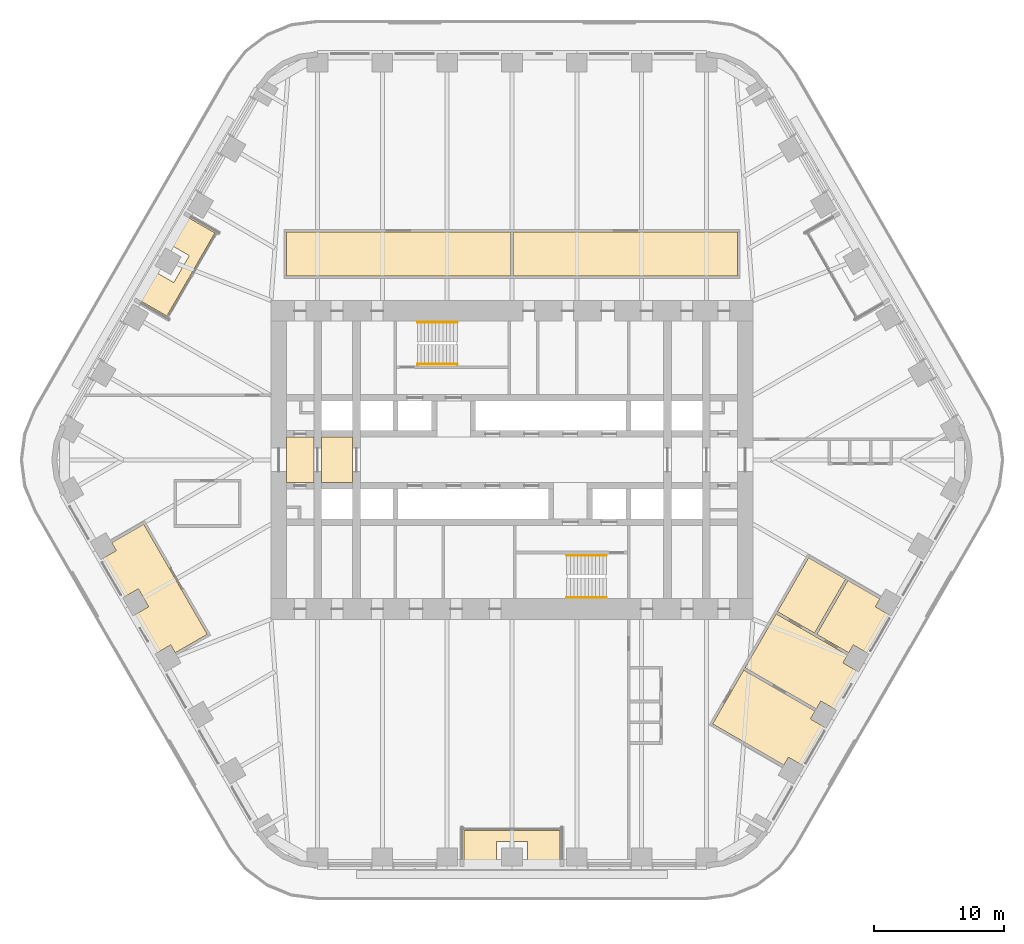
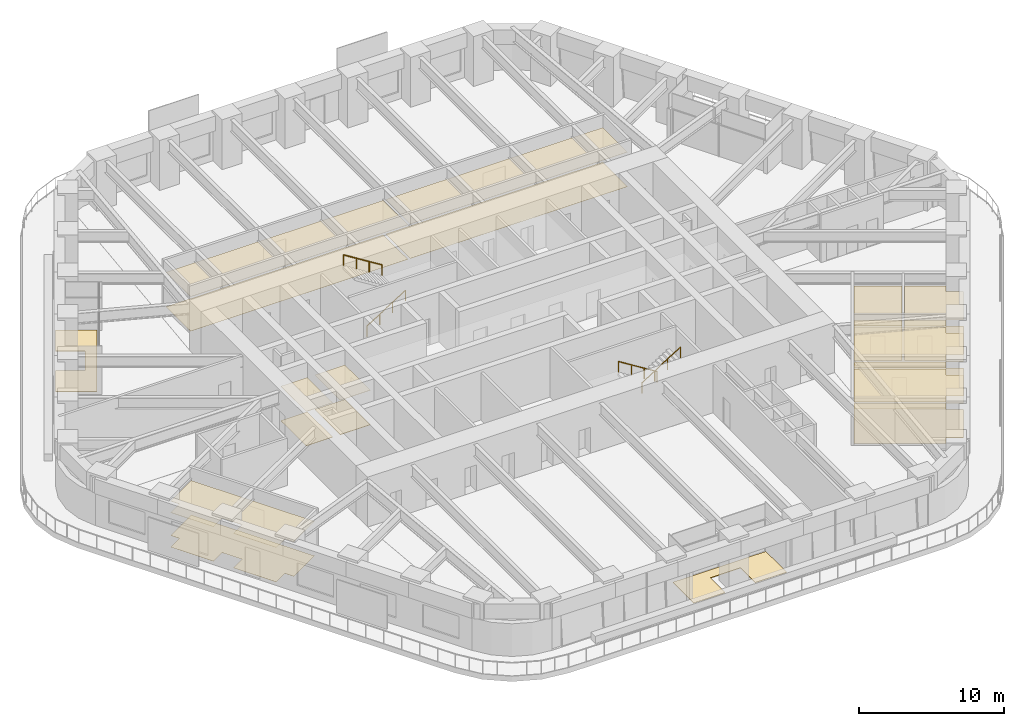
# One storey, part 22 of 24: 8 coverings, 4 railings.
"""IFC4 building model written with IfcOpenShell, lengths in metres."""

from ifc_helpers import new_model, si_unit, direction, frame, origin, origin_2d, place, context, subcontext, project, spatial, polyline, circle, outline, extrude, material, layer, layer_set, type_object, element, save


model = new_model("IFC4")

# Units and contexts
model_context = context("Model", 3, precision=1e-05, world=origin(), true_north=direction((0.0, 1.0)))
body_context = subcontext(model_context, "Body", "Model", "MODEL_VIEW")
ifc_project = project(units=[si_unit("LENGTHUNIT", "METRE"), si_unit("AREAUNIT", "SQUARE_METRE"), si_unit("VOLUMEUNIT", "CUBIC_METRE"), si_unit("PLANEANGLEUNIT", "RADIAN"), si_unit("MASSUNIT", "GRAM", prefix="KILO")], contexts=[model_context])

# Site, building, storey
site_placement = place(None, origin())
site = spatial("IfcSite", under=ifc_project, at=site_placement, CompositionType="ELEMENT")
building_placement = place(site_placement, origin())
building = spatial("IfcBuilding", under=site, at=building_placement, Name="Tarfa Lantern Tower", CompositionType="ELEMENT")
storey_placement = place(building_placement, frame((0.0, 0.0, 161.5)))
storey = spatial("IfcBuildingStorey", under=building, at=storey_placement, Name="L36", CompositionType="ELEMENT", Elevation=161.5)

# Coverings
ifc_material_1 = material(Name="Mineral fibre acoustic tile on suspension grid", Category="finish")
ifc_layer_1 = layer(ifc_material_1, 0.02001953125)
ifc_layer_set_1 = layer_set([ifc_layer_1], Name="CL1 ACOUSTIC TILE CEILING 20")
covering_type_1 = type_object("IfcCoveringType", Name="CL1 ACOUSTIC TILE CEILING 20", PredefinedType="CEILING", material=ifc_layer_set_1)
covering_1_placement = place(storey_placement, frame((0.0, 0.0, 2.89990234375)))
element("IfcCovering", 1, at=covering_1_placement, inside=storey, type_object=covering_type_1, Name="Ceiling L36 CL1", PredefinedType="CEILING", context=body_context, shape_type="SweptSolid", body=[
    extrude(outline(polyline([(-17.39990234375, 17.60009765625), (-0.10009765625, 17.60009765625), (-0.10009765625, 14.199951171875), (-17.39990234375, 14.199951171875), (-17.39990234375, 17.60009765625)])), origin(), (0.0, 0.0, 1.0), 0.02001953125),
    extrude(outline(polyline([(0.10009765625, 17.60009765625), (17.39990234375, 17.60009765625), (17.39990234375, 14.199951171875), (0.10009765625, 14.199951171875), (0.10009765625, 17.60009765625)])), origin(), (0.0, 0.0, 1.0), 0.02001953125),
    extrude(outline(polyline([(17.88623046875, -16.219970703125), (23.385498046875, -19.39501953125), (23.03564453125, -20.001220703125), (24.074951171875, -20.60107421875), (22.373046875, -23.548828125), (21.333740234375, -22.94873046875), (20.983642578125, -23.55517578125), (15.484375, -20.380126953125), (17.88623046875, -16.219970703125)])), origin(), (0.0, 0.0, 1.0), 0.02001953125),
    extrude(outline(polyline([(20.38818359375, -11.88671875), (25.887451171875, -15.0615234375), (25.537353515625, -15.667724609375), (26.57666015625, -16.267822265625), (24.874755859375, -19.215576171875), (23.835693359375, -18.615478515625), (23.485595703125, -19.2216796875), (17.986328125, -16.046630859375), (20.38818359375, -11.88671875)])), origin(), (0.0, 0.0, 1.0), 0.02001953125),
    extrude(outline(polyline([(25.921142578125, -9.30322265625), (28.389404296875, -10.728271484375), (28.039306640625, -11.33447265625), (29.07861328125, -11.9345703125), (27.376708984375, -14.882080078125), (26.33740234375, -14.2822265625), (25.987548828125, -14.888427734375), (23.519287109375, -13.46337890625), (25.921142578125, -9.30322265625)])), origin(), (0.0, 0.0, 1.0), 0.02001953125),
    extrude(outline(polyline([(22.89013671875, -7.55322265625), (25.748046875, -9.203369140625), (23.34619140625, -13.36328125), (20.48828125, -11.71337890625), (22.89013671875, -7.55322265625)])), origin(), (0.0, 0.0, 1.0), 0.02001953125),
    extrude(outline(polyline([(-23.519287109375, -13.46337890625), (-25.987548828125, -14.888427734375), (-26.33740234375, -14.2822265625), (-27.376708984375, -14.882080078125), (-29.07861328125, -11.9345703125), (-28.039306640625, -11.33447265625), (-28.83935546875, -9.94873046875), (-29.878662109375, -10.548828125), (-31.580322265625, -7.60107421875), (-30.541259765625, -7.001220703125), (-30.89111328125, -6.39501953125), (-28.423095703125, -4.969970703125), (-23.519287109375, -13.46337890625)])), origin(), (0.0, 0.0, 1.0), 0.02001953125),
])
ifc_material_2 = material(Name="Powder-coated aluminium panel", Category="aluminium")
ifc_layer_2 = layer(ifc_material_2, 0.030029296875)
ifc_layer_set_2 = layer_set([ifc_layer_2], Name="CL3 METAL PANEL CEILING 30")
covering_type_2 = type_object("IfcCoveringType", Name="CL3 METAL PANEL CEILING 30", PredefinedType="CEILING", material=ifc_layer_set_2)
covering_2_placement = place(storey_placement, frame((0.0, 0.0, 2.89990234375)))
element("IfcCovering", 2, at=covering_2_placement, inside=storey, type_object=covering_type_2, Name="Ceiling L36-01", PredefinedType="CEILING", context=body_context, shape_type="SweptSolid", body=[
    extrude(outline(polyline([(-17.39990234375, -1.75), (-15.300048828125, -1.75), (-15.300048828125, 1.75), (-17.39990234375, 1.75), (-17.39990234375, -1.75)])), origin(), (0.0, 0.0, 1.0), 0.030029296875),
])
covering_3_placement = place(storey_placement, frame((0.0, 0.0, 2.89990234375)))
element("IfcCovering", 3, at=covering_3_placement, inside=storey, type_object=covering_type_2, Name="Ceiling L36-02", PredefinedType="CEILING", context=body_context, shape_type="SweptSolid", body=[
    extrude(outline(polyline([(-14.699951171875, -1.75), (-12.300048828125, -1.75), (-12.300048828125, 1.75), (-14.699951171875, 1.75), (-14.699951171875, -1.75)])), origin(), (0.0, 0.0, 1.0), 0.030029296875),
])
ifc_material_3 = material(Name="Nylon carpet tile", Category="finish")
ifc_layer_3 = layer(ifc_material_3, 0.010009765625)
ifc_layer_set_3 = layer_set([ifc_layer_3], Name="FL1 CARPET TILE 10")
covering_type_3 = type_object("IfcCoveringType", Name="FL1 CARPET TILE 10", PredefinedType="FLOORING", material=ifc_layer_set_3)
covering_4_placement = place(storey_placement, origin())
element("IfcCovering", 4, at=covering_4_placement, inside=storey, type_object=covering_type_3, Name="Floor finish L36 FL1", PredefinedType="FLOORING", context=body_context, shape_type="SweptSolid", body=[
    extrude(outline(polyline([(-17.39990234375, 17.60009765625), (-0.10009765625, 17.60009765625), (-0.10009765625, 14.199951171875), (-17.39990234375, 14.199951171875), (-17.39990234375, 17.60009765625)])), origin(), (0.0, 0.0, 1.0), 0.010009765625),
    extrude(outline(polyline([(0.10009765625, 17.60009765625), (17.39990234375, 17.60009765625), (17.39990234375, 14.199951171875), (0.10009765625, 14.199951171875), (0.10009765625, 17.60009765625)])), origin(), (0.0, 0.0, 1.0), 0.010009765625),
    extrude(outline(polyline([(17.88623046875, -16.219970703125), (23.385498046875, -19.39501953125), (23.03564453125, -20.001220703125), (24.074951171875, -20.60107421875), (22.373046875, -23.548828125), (21.333740234375, -22.94873046875), (20.983642578125, -23.55517578125), (15.484375, -20.380126953125), (17.88623046875, -16.219970703125)])), origin(), (0.0, 0.0, 1.0), 0.010009765625),
    extrude(outline(polyline([(20.38818359375, -11.88671875), (25.887451171875, -15.0615234375), (25.537353515625, -15.667724609375), (26.57666015625, -16.267822265625), (24.874755859375, -19.215576171875), (23.835693359375, -18.615478515625), (23.485595703125, -19.2216796875), (17.986328125, -16.046630859375), (20.38818359375, -11.88671875)])), origin(), (0.0, 0.0, 1.0), 0.010009765625),
    extrude(outline(polyline([(25.921142578125, -9.30322265625), (28.389404296875, -10.728271484375), (28.039306640625, -11.33447265625), (29.07861328125, -11.9345703125), (27.376708984375, -14.882080078125), (26.33740234375, -14.2822265625), (25.987548828125, -14.888427734375), (23.519287109375, -13.46337890625), (25.921142578125, -9.30322265625)])), origin(), (0.0, 0.0, 1.0), 0.010009765625),
    extrude(outline(polyline([(22.89013671875, -7.55322265625), (25.748046875, -9.203369140625), (23.34619140625, -13.36328125), (20.48828125, -11.71337890625), (22.89013671875, -7.55322265625)])), origin(), (0.0, 0.0, 1.0), 0.010009765625),
    extrude(outline(polyline([(-23.519287109375, -13.46337890625), (-25.987548828125, -14.888427734375), (-26.33740234375, -14.2822265625), (-27.376708984375, -14.882080078125), (-29.07861328125, -11.9345703125), (-28.039306640625, -11.33447265625), (-28.83935546875, -9.94873046875), (-29.878662109375, -10.548828125), (-31.580322265625, -7.60107421875), (-30.541259765625, -7.001220703125), (-30.89111328125, -6.39501953125), (-28.423095703125, -4.969970703125), (-23.519287109375, -13.46337890625)])), origin(), (0.0, 0.0, 1.0), 0.010009765625),
])
ifc_material_4 = material(Name="Honed limestone flooring", Category="masonry")
ifc_layer_4 = layer(ifc_material_4, 0.030029296875)
ifc_layer_set_4 = layer_set([ifc_layer_4], Name="FL2 STONE FLOORING 30")
covering_type_4 = type_object("IfcCoveringType", Name="FL2 STONE FLOORING 30", PredefinedType="FLOORING", material=ifc_layer_set_4)
covering_5_placement = place(storey_placement, origin())
element("IfcCovering", 5, at=covering_5_placement, inside=storey, type_object=covering_type_4, Name="Floor finish L36-01", PredefinedType="FLOORING", context=body_context, shape_type="SweptSolid", body=[
    extrude(outline(polyline([(-17.39990234375, -1.75), (-15.300048828125, -1.75), (-15.300048828125, 1.75), (-17.39990234375, 1.75), (-17.39990234375, -1.75)])), origin(), (0.0, 0.0, 1.0), 0.030029296875),
])
covering_6_placement = place(storey_placement, origin())
element("IfcCovering", 6, at=covering_6_placement, inside=storey, type_object=covering_type_4, Name="Floor finish L36-02", PredefinedType="FLOORING", context=body_context, shape_type="SweptSolid", body=[
    extrude(outline(polyline([(-14.699951171875, -1.75), (-12.300048828125, -1.75), (-12.300048828125, 1.75), (-14.699951171875, 1.75), (-14.699951171875, -1.75)])), origin(), (0.0, 0.0, 1.0), 0.030029296875),
])

# Railings
ifc_material_5 = material(Name="Stainless steel", Category="steel")
railing_type = type_object("IfcRailingType", Name="HR1 HANDRAIL 900", PredefinedType="HANDRAIL", material=ifc_material_5)
railing_1_placement = place(storey_placement, frame((-7.300048828125, 7.3798828125, 0.175048828125)))
element("IfcRailing", 7, at=railing_1_placement, inside=storey, type_object=railing_type, Name="Handrail 1", PredefinedType="HANDRAIL", context=body_context, shape_type="SweptSolid", body=[
    extrude(circle(Radius=0.02392578125, at=origin_2d()), frame((0.0, 0.0, 0.8759765625), z_axis=(0.847998304005, 0.0, 0.529998940003), x_axis=(0.0, 1.0, 0.0)), (0.0, 0.0, 1.0), 3.632080078125),
    extrude(circle(Radius=0.02099609375, at=origin_2d()), frame((0.0, 0.0, 0.0), z_axis=(0.0, 0.0, 1.0), x_axis=(0.0, 1.0, 0.0)), (0.0, 0.0, 1.0), 0.851806640625),
    extrude(circle(Radius=0.02099609375, at=origin_2d()), frame((1.026611328125, 0.0, 0.6416015625), z_axis=(0.0, 0.0, 1.0), x_axis=(0.0, 1.0, 0.0)), (0.0, 0.0, 1.0), 0.851806640625),
    extrude(circle(Radius=0.02099609375, at=origin_2d()), frame((2.053466796875, 0.0, 1.283447265625), z_axis=(0.0, 0.0, 1.0), x_axis=(0.0, 1.0, 0.0)), (0.0, 0.0, 1.0), 0.851806640625),
    extrude(circle(Radius=0.02099609375, at=origin_2d()), frame((3.080078125, 0.0, 1.925048828125), z_axis=(0.0, 0.0, 1.0), x_axis=(0.0, 1.0, 0.0)), (0.0, 0.0, 1.0), 0.851806640625),
])
for number, where, name in (
    (8, (-4.219970703125, 10.6201171875, 2.27490234375), "Handrail 2"),
    (9, (7.300048828125, -7.3798828125, 0.175048828125), "Handrail 1"),
):
    element("IfcRailing", number, at=place(storey_placement, frame(where)), inside=storey, type_object=railing_type, Name=name, PredefinedType="HANDRAIL", context=body_context, shape_type="SweptSolid", body=[
        extrude(circle(Radius=0.02392578125, at=origin_2d()), frame((0.0, 0.0, 0.8759765625), z_axis=(-0.847998304005, 0.0, 0.529998940003), x_axis=(0.0, -1.0, 0.0)), (0.0, 0.0, 1.0), 3.632080078125),
        extrude(circle(Radius=0.02099609375, at=origin_2d()), frame((0.0, 0.0, 0.0), z_axis=(0.0, 0.0, 1.0), x_axis=(0.0, -1.0, 0.0)), (0.0, 0.0, 1.0), 0.851806640625),
        extrude(circle(Radius=0.02099609375, at=origin_2d()), frame((-1.026611328125, 0.0, 0.6416015625), z_axis=(0.0, 0.0, 1.0), x_axis=(0.0, -1.0, 0.0)), (0.0, 0.0, 1.0), 0.851806640625),
        extrude(circle(Radius=0.02099609375, at=origin_2d()), frame((-2.053466796875, 0.0, 1.283447265625), z_axis=(0.0, 0.0, 1.0), x_axis=(0.0, -1.0, 0.0)), (0.0, 0.0, 1.0), 0.851806640625),
        extrude(circle(Radius=0.02099609375, at=origin_2d()), frame((-3.080078125, 0.0, 1.925048828125), z_axis=(0.0, 0.0, 1.0), x_axis=(0.0, -1.0, 0.0)), (0.0, 0.0, 1.0), 0.851806640625),
    ])
railing_2_placement = place(storey_placement, frame((4.219970703125, -10.6201171875, 2.27490234375)))
element("IfcRailing", 10, at=railing_2_placement, inside=storey, type_object=railing_type, Name="Handrail 2", PredefinedType="HANDRAIL", context=body_context, shape_type="SweptSolid", body=[
    extrude(circle(Radius=0.02392578125, at=origin_2d()), frame((0.0, 0.0, 0.8759765625), z_axis=(0.847998304005, 0.0, 0.529998940003), x_axis=(0.0, 1.0, 0.0)), (0.0, 0.0, 1.0), 3.632080078125),
    extrude(circle(Radius=0.02099609375, at=origin_2d()), frame((0.0, 0.0, 0.0), z_axis=(0.0, 0.0, 1.0), x_axis=(0.0, 1.0, 0.0)), (0.0, 0.0, 1.0), 0.851806640625),
    extrude(circle(Radius=0.02099609375, at=origin_2d()), frame((1.026611328125, 0.0, 0.6416015625), z_axis=(0.0, 0.0, 1.0), x_axis=(0.0, 1.0, 0.0)), (0.0, 0.0, 1.0), 0.851806640625),
    extrude(circle(Radius=0.02099609375, at=origin_2d()), frame((2.053466796875, 0.0, 1.283447265625), z_axis=(0.0, 0.0, 1.0), x_axis=(0.0, 1.0, 0.0)), (0.0, 0.0, 1.0), 0.851806640625),
    extrude(circle(Radius=0.02099609375, at=origin_2d()), frame((3.080078125, 0.0, 1.925048828125), z_axis=(0.0, 0.0, 1.0), x_axis=(0.0, 1.0, 0.0)), (0.0, 0.0, 1.0), 0.851806640625),
])

# Coverings
ifc_material_6 = material(Name="Porcelain pavers on pedestals", Category="ceramic")
ifc_layer_5 = layer(ifc_material_6, 0.0400390625)
ifc_layer_set_5 = layer_set([ifc_layer_5], Name="LP1 LOGGIA PAVING 40")
covering_type_5 = type_object("IfcCoveringType", Name="LP1 LOGGIA PAVING 40", PredefinedType="FLOORING", material=ifc_layer_set_5)
covering_7_placement = place(storey_placement, origin())
element("IfcCovering", 11, at=covering_7_placement, inside=storey, type_object=covering_type_5, Name="Loggia paving NW", PredefinedType="FLOORING", context=body_context, shape_type="SweptSolid", body=[
    extrude(outline(polyline([(-25.427978515625, 18.95751953125), (-22.933837890625, 17.517578125), (-26.637451171875, 11.1025390625), (-29.131591796875, 12.54248046875), (-27.8798828125, 14.710693359375), (-26.1044921875, 13.685791015625), (-24.904541015625, 15.76416015625), (-26.6796875, 16.789306640625), (-25.427978515625, 18.95751953125)])), origin(), (0.0, 0.0, 1.0), 0.0400390625),
])
covering_8_placement = place(storey_placement, origin())
element("IfcCovering", 12, at=covering_8_placement, inside=storey, type_object=covering_type_5, Name="Loggia paving S", PredefinedType="FLOORING", context=body_context, shape_type="SweptSolid", body=[
    extrude(outline(polyline([(-3.70361328125, -31.5), (-3.70361328125, -28.6201171875), (3.70361328125, -28.6201171875), (3.70361328125, -31.5), (1.199951171875, -31.5), (1.199951171875, -29.449951171875), (-1.199951171875, -29.449951171875), (-1.199951171875, -31.5), (-3.70361328125, -31.5)])), origin(), (0.0, 0.0, 1.0), 0.0400390625),
])

save(model, "model.ifc")
